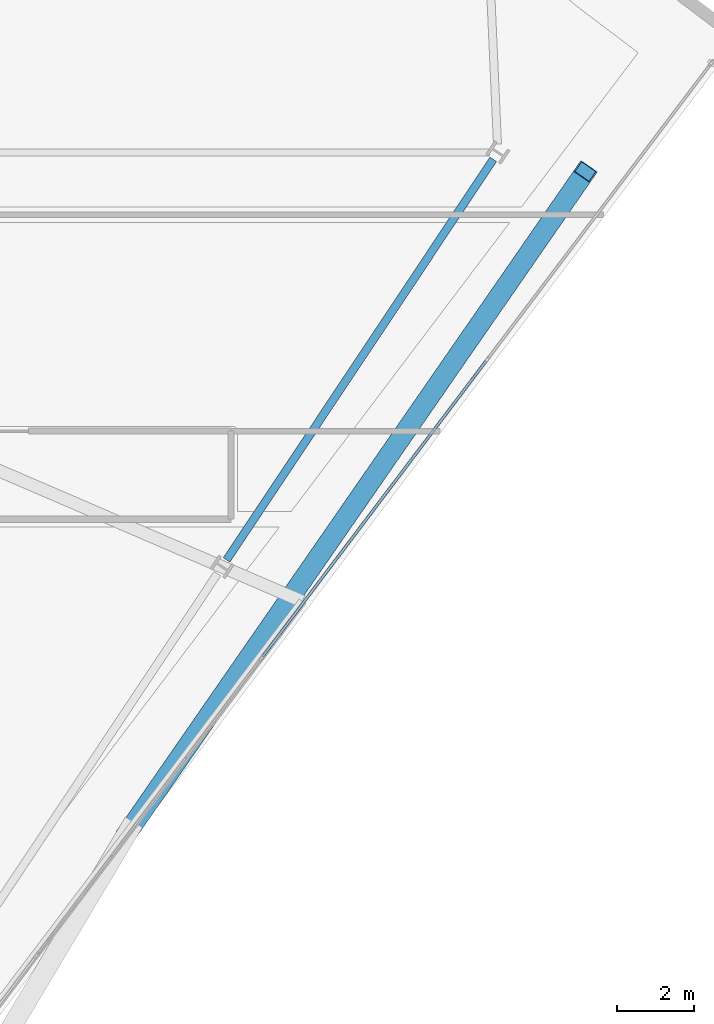
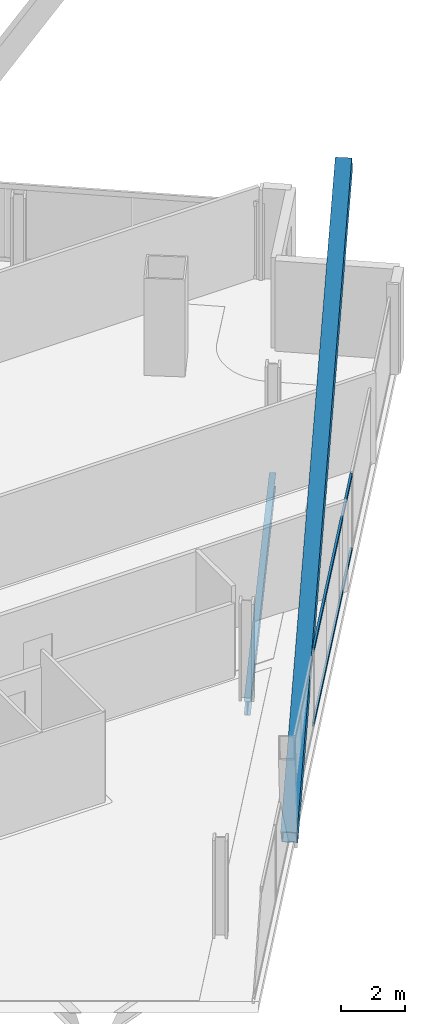
# One storey, part 14 of 34: 3 members, 1 beam, 1 element without a shape of its own.
"""IFC4 building model written with IfcOpenShell, lengths in metres."""

from ifc_helpers import new_model, si_unit, direction, frame, origin, origin_2d, place, context, subcontext, project, spatial, hollow_rectangle, i_section, extrude, material, material_profile, profile_set, type_object, element, aggregate, save


model = new_model("IFC4")

# Units and contexts
model_context = context("Model", 3, precision=1e-05, world=origin(), true_north=direction((0.0, 1.0)))
body_context = subcontext(model_context, "Body", "Model", "MODEL_VIEW")
ifc_project = project(units=[si_unit("LENGTHUNIT", "METRE"), si_unit("AREAUNIT", "SQUARE_METRE"), si_unit("VOLUMEUNIT", "CUBIC_METRE"), si_unit("PLANEANGLEUNIT", "RADIAN"), si_unit("MASSUNIT", "GRAM", prefix="KILO")], contexts=[model_context])

# Site, building, storey
site_placement = place(None, origin())
site = spatial("IfcSite", under=ifc_project, at=site_placement, CompositionType="ELEMENT")
building_placement = place(site_placement, origin())
building = spatial("IfcBuilding", under=site, at=building_placement, Name="Haldenkirk Collegiate Tower", CompositionType="ELEMENT")
storey_placement = place(building_placement, frame((0.0, 0.0, 205.949951171875)))
storey = spatial("IfcBuildingStorey", under=building, at=storey_placement, Name="L51", CompositionType="ELEMENT", Elevation=205.949951171875)

# Beam
ifc_material_1 = material(Name="Steel ASTM A992 Grade 50", Category="steel")
ifc_material_profile_1 = material_profile(ifc_material_1, i_section(OverallWidth=0.2099609375, OverallDepth=0.537109375, WebThickness=0.010986328125, FlangeThickness=0.017333984375, at=origin_2d()), Name="W21X68")
ifc_profile_set_1 = profile_set([ifc_material_profile_1], Name="Steel ASTM A992 Grade 50")
beam_type = type_object("IfcBeamType", Name="BM-SPANDREL-W21X68", PredefinedType="SPANDREL", material=ifc_profile_set_1)
beam_placement = place(storey_placement, frame((53.6845703125, 14.48876953125, -0.54833984375), z_axis=(0.554125989098, 0.832432813028, 0.0), x_axis=(-0.832432813028, 0.554125989098, 0.0)))
element("IfcBeam", 1, at=beam_placement, inside=storey, type_object=beam_type, Name="L51 perimeter spandrel beam 03", PredefinedType="SPANDREL", context=body_context, shape_type="SweptSolid", body=[
    extrude(i_section(OverallWidth=0.2099609375, OverallDepth=0.537109375, WebThickness=0.010986328125, FlangeThickness=0.017333984375, at=origin_2d()), origin(), (0.0, 0.0, 1.0), 12.56201171875),
])

# Curtain wall, members
ifc_material_2 = material(Name="Anodised architectural bronze aluminium", Category="aluminium")
curtain_wall_type = type_object("IfcCurtainWallType", Name="CW-SYS2-CONCAVE", PredefinedType="USERDEFINED", material=ifc_material_2)
curtain_wall_placement = place(storey_placement, origin())
curtain_wall = element("IfcCurtainWall", 2, at=curtain_wall_placement, inside=storey, type_object=curtain_wall_type, Name="L51 South concave recessed bronze-anodised curtain wall", ObjectType="UNITISED CURTAIN WALL", PredefinedType="USERDEFINED")
ifc_material_profile_2 = material_profile(ifc_material_2, hollow_rectangle(XDim=0.074951171875, YDim=0.159912109375, WallThickness=0.0048828125, at=origin_2d()), Name="CW-TRN-02")
ifc_profile_set_2 = profile_set([ifc_material_profile_2], Name="Anodised architectural bronze aluminium")
member_type_1 = type_object("IfcMemberType", Name="CW-TRN-02", PredefinedType="USERDEFINED", material=ifc_profile_set_2)
member_1_placement = place(storey_placement, frame((60.458251953125, 19.6796875, 0.03759765625), z_axis=(-0.603204996241, -0.797586191273, 0.0), x_axis=(0.797586191273, -0.603204996241, 0.0)))
member_1 = element("IfcMember", 3, at=member_1_placement, type_object=member_type_1, Name="CW-02 transom 2.1", ObjectType="TRANSOM", PredefinedType="USERDEFINED", context=body_context, shape_type="SweptSolid", body=[
    extrude(hollow_rectangle(XDim=0.074951171875, YDim=0.159912109375, WallThickness=0.0048828125, at=origin_2d()), origin(), (0.0, 0.0, 1.0), 9.6748046875),
])
member_2_placement = place(storey_placement, frame((60.458251953125, 19.6796875, 2.890625), z_axis=(-0.603204996241, -0.797586191273, 0.0), x_axis=(0.797586191273, -0.603204996241, 0.0)))
member_2 = element("IfcMember", 4, at=member_2_placement, type_object=member_type_1, Name="CW-02 transom 2.2", ObjectType="TRANSOM", PredefinedType="USERDEFINED", context=body_context, shape_type="SweptSolid", body=[
    extrude(hollow_rectangle(XDim=0.074951171875, YDim=0.159912109375, WallThickness=0.0048828125, at=origin_2d()), origin(), (0.0, 0.0, 1.0), 9.6748046875),
])
aggregate(curtain_wall, [member_1, member_2])

# Member
ifc_material_3 = material(Name="Steel ASTM A572 Grade 50", Category="steel")
ifc_material_profile_3 = material_profile(ifc_material_3, hollow_rectangle(XDim=0.52001953125, YDim=0.719970703125, WallThickness=0.035888671875, at=origin_2d()), Name="BOX720X520X36")
ifc_profile_set_3 = profile_set([ifc_material_profile_3], Name="Steel ASTM A572 Grade 50")
member_type_2 = type_object("IfcMemberType", Name="MBR-MEGABRACE-BOX720X520X36", PredefinedType="BRACE", material=ifc_profile_set_3)
member_3_placement = place(storey_placement, frame((51.112060546875, 7.387939453125, -0.2900390625), z_axis=(0.501736544835, 0.724412529492, 0.472744039299), x_axis=(-0.82207523892, 0.56937887347, 0.0)))
element("IfcMember", 5, at=member_3_placement, inside=storey, type_object=member_type_2, Name="Perimeter Mega Brace Z4 L51-L53 SR", PredefinedType="BRACE", context=body_context, shape_type="SweptSolid", body=[
    extrude(hollow_rectangle(XDim=0.52001953125, YDim=0.719970703125, WallThickness=0.035888671875, at=origin_2d()), origin(), (0.0, 0.0, 1.0), 23.797119140625),
])

save(model, "model.ifc")
